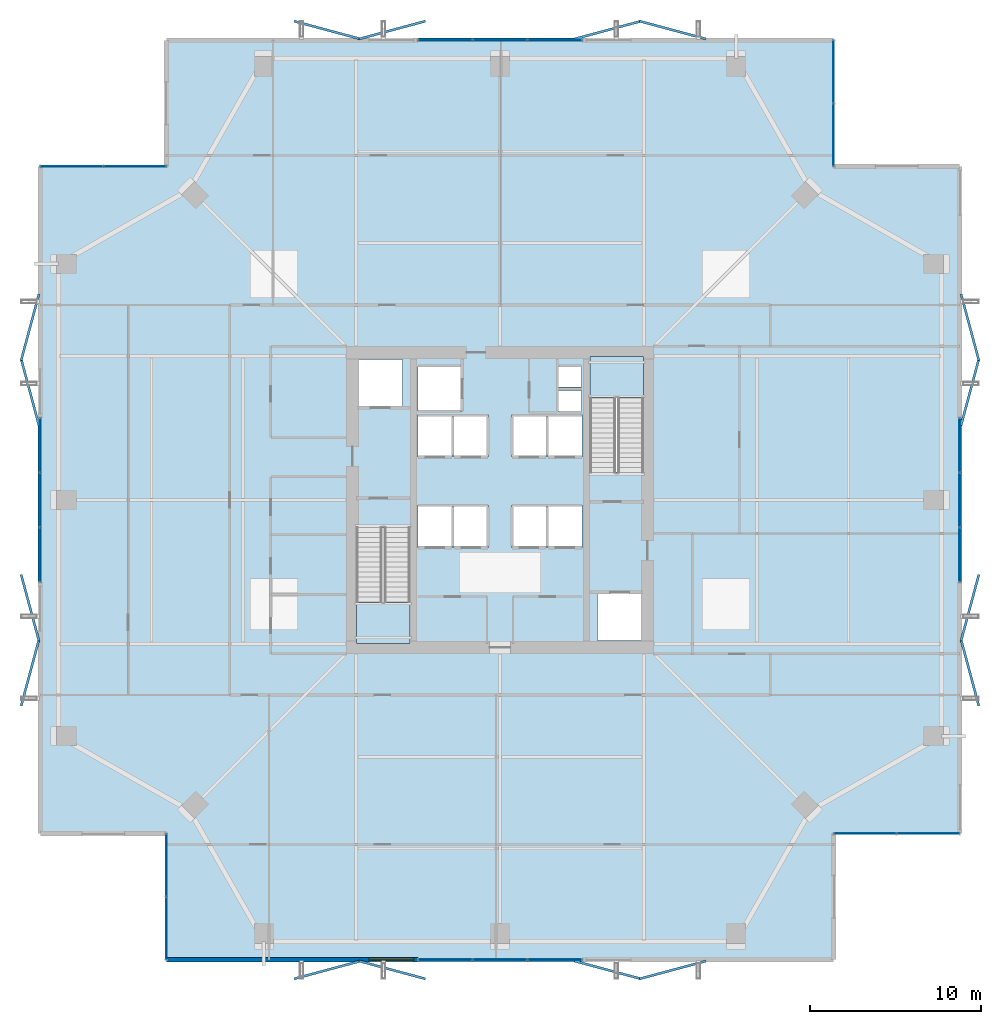
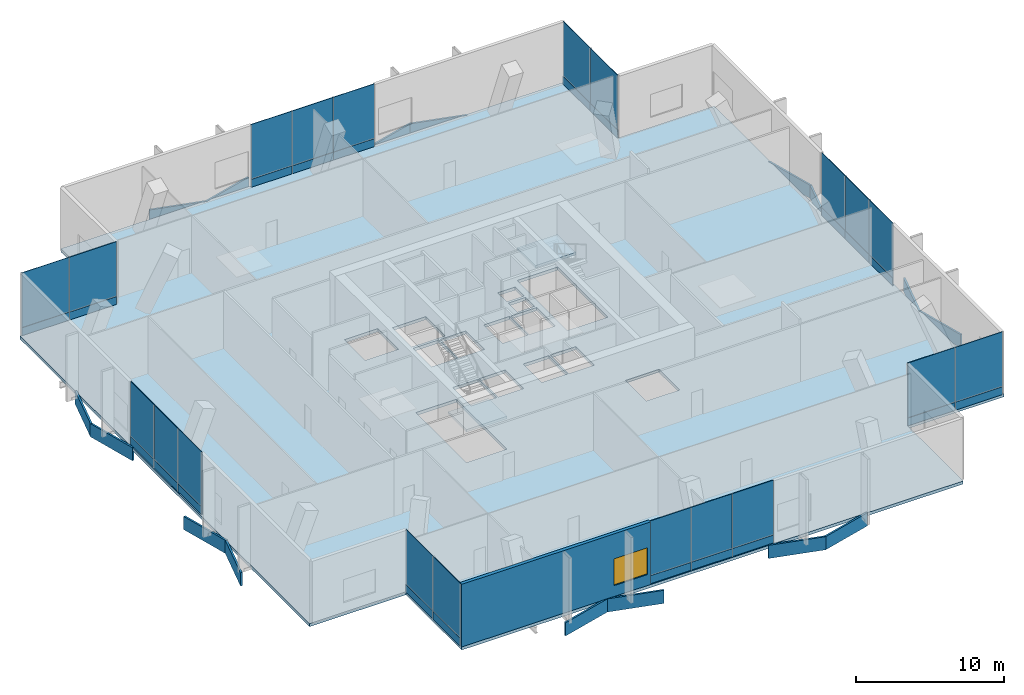
# One storey, part 28 of 33: 56 plates, 3 slabs, 1 wall, 1 window, 1 opening, 10 elements without a shape of their own.
"""IFC4 building model written with IfcOpenShell, lengths in metres."""

from ifc_helpers import new_model, si_unit, direction, frame, frame_2d, origin, origin_2d, place, context, subcontext, project, spatial, polyline, rectangle, outline, extrude, material, layer, layer_set, type_object, element, fill, aggregate, save


model = new_model("IFC4")

# Units and contexts
model_context = context("Model", 3, precision=1e-05, world=origin(), true_north=direction((0.0, 1.0)))
body_context = subcontext(model_context, "Body", "Model", "MODEL_VIEW")
ifc_project = project(units=[si_unit("LENGTHUNIT", "METRE"), si_unit("AREAUNIT", "SQUARE_METRE"), si_unit("VOLUMEUNIT", "CUBIC_METRE"), si_unit("PLANEANGLEUNIT", "RADIAN"), si_unit("MASSUNIT", "GRAM", prefix="KILO")], contexts=[model_context])

# Site, building, storey
site_placement = place(None, origin())
site = spatial("IfcSite", under=ifc_project, at=site_placement, CompositionType="ELEMENT")
building_placement = place(site_placement, origin())
building = spatial("IfcBuilding", under=site, at=building_placement, Name="Belovzor Exchange Tower", CompositionType="ELEMENT")
storey_placement = place(building_placement, frame((0.0, 0.0, 241.199951171875)))
storey = spatial("IfcBuildingStorey", under=building, at=storey_placement, Name="L60", CompositionType="ELEMENT", Elevation=241.199951171875)

# Curtain wall, plates
ifc_material_1 = material(Name="Anodised Aluminium Framing", Category="aluminium")
ifc_layer_1 = layer(ifc_material_1, 0.239990234375)
ifc_layer_set_1 = layer_set([ifc_layer_1], Name="Anodised Aluminium Framing")
curtain_wall_type_1 = type_object("IfcCurtainWallType", Name="Sky-Lobby Double-Skin Acoustic Curtain Wall", PredefinedType="NOTDEFINED", material=ifc_layer_set_1)
curtain_wall_1_placement = place(storey_placement, origin())
curtain_wall_1 = element("IfcCurtainWall", 1, at=curtain_wall_1_placement, inside=storey, type_object=curtain_wall_type_1, Name="CW4 Sky-Lobby Double-Skin Acoustic Curtain Wall L60", PredefinedType="NOTDEFINED")
ifc_material_2 = material(Name="Acoustic Laminated Triple Glazing", Category="glass")
ifc_layer_2 = layer(ifc_material_2, 0.048095703125)
ifc_layer_set_2 = layer_set([ifc_layer_2], Name="Acoustic Laminated Triple Glazing")
plate_type_1 = type_object("IfcPlateType", Name="Acoustic Laminated Curtain Panel 48", PredefinedType="CURTAIN_PANEL", material=ifc_layer_set_2)
plate_1_placement = place(storey_placement, frame((32.0, 1.929931640625, 0.652099609375), z_axis=(0.0, 0.0, 1.0), x_axis=(-1.0, 0.0, 0.0)))
plate_1 = element("IfcPlate", 2, at=plate_1_placement, type_object=plate_type_1, Name="GLZ-48 Glazed Curtain Panel 1", PredefinedType="CURTAIN_PANEL", context=body_context, shape_type="SweptSolid", body=[
    extrude(rectangle(XDim=3.18408203125, YDim=0.048095703125, at=origin_2d()), origin(), (0.0, 0.0, 1.0), 4.498046875),
])
plate_2_placement = place(storey_placement, frame((28.800048828125, 1.929931640625, 0.652099609375), z_axis=(0.0, 0.0, 1.0), x_axis=(-1.0, 0.0, 0.0)))
plate_2 = element("IfcPlate", 3, at=plate_2_placement, type_object=plate_type_1, Name="GLZ-48 Glazed Curtain Panel 2", PredefinedType="CURTAIN_PANEL", context=body_context, shape_type="SweptSolid", body=[
    extrude(rectangle(XDim=3.18408203125, YDim=0.048095703125, at=origin_2d()), origin(), (0.0, 0.0, 1.0), 4.498046875),
])
plate_3_placement = place(storey_placement, frame((25.60009765625, 1.929931640625, 0.652099609375), z_axis=(0.0, 0.0, 1.0), x_axis=(-1.0, 0.0, 0.0)))
plate_3 = element("IfcPlate", 4, at=plate_3_placement, type_object=plate_type_1, Name="GLZ-48 Glazed Curtain Panel 3", PredefinedType="CURTAIN_PANEL", context=body_context, shape_type="SweptSolid", body=[
    extrude(rectangle(XDim=3.18408203125, YDim=0.048095703125, at=origin_2d()), origin(), (0.0, 0.0, 1.0), 4.498046875),
])

curtain_wall_2_placement = place(storey_placement, origin())
curtain_wall_2 = element("IfcCurtainWall", 5, at=curtain_wall_2_placement, inside=storey, type_object=curtain_wall_type_1, Name="CW4 Sky-Lobby Double-Skin Acoustic Curtain Wall L60", PredefinedType="NOTDEFINED")
plate_4_placement = place(storey_placement, frame((25.60009765625, 55.669921875, 0.652099609375), z_axis=(0.0, 0.0, 1.0), x_axis=(1.0, 0.0, 0.0)))
plate_4 = element("IfcPlate", 6, at=plate_4_placement, type_object=plate_type_1, Name="GLZ-48 Glazed Curtain Panel 1", PredefinedType="CURTAIN_PANEL", context=body_context, shape_type="SweptSolid", body=[
    extrude(rectangle(XDim=3.18408203125, YDim=0.048095703125, at=origin_2d()), origin(), (0.0, 0.0, 1.0), 4.498046875),
])
plate_5_placement = place(storey_placement, frame((28.800048828125, 55.669921875, 0.652099609375), z_axis=(0.0, 0.0, 1.0), x_axis=(1.0, 0.0, 0.0)))
plate_5 = element("IfcPlate", 7, at=plate_5_placement, type_object=plate_type_1, Name="GLZ-48 Glazed Curtain Panel 2", PredefinedType="CURTAIN_PANEL", context=body_context, shape_type="SweptSolid", body=[
    extrude(rectangle(XDim=3.18408203125, YDim=0.048095703125, at=origin_2d()), origin(), (0.0, 0.0, 1.0), 4.498046875),
])
plate_6_placement = place(storey_placement, frame((32.0, 55.669921875, 0.652099609375), z_axis=(0.0, 0.0, 1.0), x_axis=(1.0, 0.0, 0.0)))
plate_6 = element("IfcPlate", 8, at=plate_6_placement, type_object=plate_type_1, Name="GLZ-48 Glazed Curtain Panel 3", PredefinedType="CURTAIN_PANEL", context=body_context, shape_type="SweptSolid", body=[
    extrude(rectangle(XDim=3.18408203125, YDim=0.048095703125, at=origin_2d()), origin(), (0.0, 0.0, 1.0), 4.498046875),
])

curtain_wall_3_placement = place(storey_placement, origin())
curtain_wall_3 = element("IfcCurtainWall", 9, at=curtain_wall_3_placement, inside=storey, type_object=curtain_wall_type_1, Name="CW4 Sky-Lobby Double-Skin Acoustic Curtain Wall L60", PredefinedType="NOTDEFINED")
plate_7_placement = place(storey_placement, frame((1.929931640625, 25.60009765625, 0.652099609375), z_axis=(0.0, 0.0, 1.0), x_axis=(0.0, 1.0, 0.0)))
plate_7 = element("IfcPlate", 10, at=plate_7_placement, type_object=plate_type_1, Name="GLZ-48 Glazed Curtain Panel 1", PredefinedType="CURTAIN_PANEL", context=body_context, shape_type="SweptSolid", body=[
    extrude(rectangle(XDim=3.18408203125, YDim=0.048095703125, at=origin_2d()), origin(), (0.0, 0.0, 1.0), 4.498046875),
])
plate_8_placement = place(storey_placement, frame((1.929931640625, 28.800048828125, 0.652099609375), z_axis=(0.0, 0.0, 1.0), x_axis=(0.0, 1.0, 0.0)))
plate_8 = element("IfcPlate", 11, at=plate_8_placement, type_object=plate_type_1, Name="GLZ-48 Glazed Curtain Panel 2", PredefinedType="CURTAIN_PANEL", context=body_context, shape_type="SweptSolid", body=[
    extrude(rectangle(XDim=3.18408203125, YDim=0.048095703125, at=origin_2d()), origin(), (0.0, 0.0, 1.0), 4.498046875),
])
plate_9_placement = place(storey_placement, frame((1.929931640625, 32.0, 0.652099609375), z_axis=(0.0, 0.0, 1.0), x_axis=(0.0, 1.0, 0.0)))
plate_9 = element("IfcPlate", 12, at=plate_9_placement, type_object=plate_type_1, Name="GLZ-48 Glazed Curtain Panel 3", PredefinedType="CURTAIN_PANEL", context=body_context, shape_type="SweptSolid", body=[
    extrude(rectangle(XDim=3.18408203125, YDim=0.048095703125, at=origin_2d()), origin(), (0.0, 0.0, 1.0), 4.498046875),
])

curtain_wall_4_placement = place(storey_placement, origin())
curtain_wall_4 = element("IfcCurtainWall", 13, at=curtain_wall_4_placement, inside=storey, type_object=curtain_wall_type_1, Name="CW4 Sky-Lobby Double-Skin Acoustic Curtain Wall L60", PredefinedType="NOTDEFINED")
plate_10_placement = place(storey_placement, frame((55.669921875, 32.0, 0.652099609375), z_axis=(0.0, 0.0, 1.0), x_axis=(0.0, -1.0, 0.0)))
plate_10 = element("IfcPlate", 14, at=plate_10_placement, type_object=plate_type_1, Name="GLZ-48 Glazed Curtain Panel 1", PredefinedType="CURTAIN_PANEL", context=body_context, shape_type="SweptSolid", body=[
    extrude(rectangle(XDim=3.18408203125, YDim=0.048095703125, at=origin_2d()), origin(), (0.0, 0.0, 1.0), 4.498046875),
])
plate_11_placement = place(storey_placement, frame((55.669921875, 28.800048828125, 0.652099609375), z_axis=(0.0, 0.0, 1.0), x_axis=(0.0, -1.0, 0.0)))
plate_11 = element("IfcPlate", 15, at=plate_11_placement, type_object=plate_type_1, Name="GLZ-48 Glazed Curtain Panel 2", PredefinedType="CURTAIN_PANEL", context=body_context, shape_type="SweptSolid", body=[
    extrude(rectangle(XDim=3.18408203125, YDim=0.048095703125, at=origin_2d()), origin(), (0.0, 0.0, 1.0), 4.498046875),
])
plate_12_placement = place(storey_placement, frame((55.669921875, 25.60009765625, 0.652099609375), z_axis=(0.0, 0.0, 1.0), x_axis=(0.0, -1.0, 0.0)))
plate_12 = element("IfcPlate", 16, at=plate_12_placement, type_object=plate_type_1, Name="GLZ-48 Glazed Curtain Panel 3", PredefinedType="CURTAIN_PANEL", context=body_context, shape_type="SweptSolid", body=[
    extrude(rectangle(XDim=3.18408203125, YDim=0.048095703125, at=origin_2d()), origin(), (0.0, 0.0, 1.0), 4.498046875),
])

# Slab
ifc_material_3 = material(Name="Concrete C40/50", Category="concrete")
ifc_layer_3 = layer(ifc_material_3, 0.25)
ifc_layer_set_3 = layer_set([ifc_layer_3], Name="Concrete C40/50")
slab_type_1 = type_object("IfcSlabType", Name="Composite Concrete Floor Deck Slab 250", PredefinedType="FLOOR", material=ifc_layer_set_3)
slab_1_placement = place(storey_placement, frame((0.0, 0.0, -0.25)))
element("IfcSlab", 17, at=slab_1_placement, inside=storey, type_object=slab_type_1, Name="SL-F250 Structural Slab L60", PredefinedType="FLOOR", context=body_context, shape_type="SweptSolid", body=[
    extrude(outline(polyline([(9.300048828125, 1.800048828125), (48.300048828125, 1.800048828125), (48.300048828125, 9.300048828125), (55.800048828125, 9.300048828125), (55.800048828125, 48.300048828125), (48.300048828125, 48.300048828125), (48.300048828125, 55.800048828125), (9.300048828125, 55.800048828125), (9.300048828125, 48.300048828125), (1.800048828125, 48.300048828125), (1.800048828125, 9.300048828125), (9.300048828125, 9.300048828125), (9.300048828125, 1.800048828125)]), holes=[polyline([(20.39990234375, 27.175048828125), (20.39990234375, 20.39990234375), (23.550048828125, 20.39990234375), (23.550048828125, 27.175048828125), (20.39990234375, 27.175048828125)]), polyline([(37.199951171875, 30.425048828125), (37.199951171875, 37.199951171875), (34.050048828125, 37.199951171875), (34.050048828125, 30.425048828125), (37.199951171875, 30.425048828125)]), polyline([(20.5, 34.199951171875), (23.10009765625, 34.199951171875), (23.10009765625, 37.0), (20.5, 37.0), (20.5, 34.199951171875)]), polyline([(34.5, 20.60009765625), (37.10009765625, 20.60009765625), (37.10009765625, 23.39990234375), (34.5, 23.39990234375), (34.5, 20.60009765625)]), polyline([(24.0, 34.0), (26.60009765625, 34.0), (26.60009765625, 36.60009765625), (24.0, 36.60009765625), (24.0, 34.0)]), polyline([(24.0, 26.0), (26.0, 26.0), (26.0, 28.5), (24.0, 28.5), (24.0, 26.0)]), polyline([(26.10009765625, 26.0), (28.10009765625, 26.0), (28.10009765625, 28.5), (26.10009765625, 28.5), (26.10009765625, 26.0)]), polyline([(29.5, 26.0), (31.5, 26.0), (31.5, 28.5), (29.5, 28.5), (29.5, 26.0)]), polyline([(31.60009765625, 26.0), (33.60009765625, 26.0), (33.60009765625, 28.5), (31.60009765625, 28.5), (31.60009765625, 26.0)]), polyline([(24.0, 31.300048828125), (26.0, 31.300048828125), (26.0, 33.800048828125), (24.0, 33.800048828125), (24.0, 31.300048828125)]), polyline([(26.10009765625, 31.300048828125), (28.10009765625, 31.300048828125), (28.10009765625, 33.800048828125), (26.10009765625, 33.800048828125), (26.10009765625, 31.300048828125)]), polyline([(29.5, 31.300048828125), (31.5, 31.300048828125), (31.5, 33.800048828125), (29.5, 33.800048828125), (29.5, 31.300048828125)]), polyline([(31.60009765625, 31.300048828125), (33.60009765625, 31.300048828125), (33.60009765625, 33.800048828125), (31.60009765625, 33.800048828125), (31.60009765625, 31.300048828125)]), polyline([(32.199951171875, 34.0), (33.550048828125, 34.0), (33.550048828125, 35.199951171875), (32.199951171875, 35.199951171875), (32.199951171875, 34.0)]), polyline([(32.199951171875, 35.39990234375), (33.550048828125, 35.39990234375), (33.550048828125, 36.60009765625), (32.199951171875, 36.60009765625), (32.199951171875, 35.39990234375)])]), origin(), (0.0, 0.0, 1.0), 0.25),
])

# Curtain wall, plates
ifc_material_4 = material(Name="Anodised Aluminium Framing", Category="aluminium")
ifc_layer_4 = layer(ifc_material_4, 0.195068359375)
ifc_layer_set_4 = layer_set([ifc_layer_4], Name="Anodised Aluminium Framing")
curtain_wall_type_2 = type_object("IfcCurtainWallType", Name="Notched Re-Entrant Corner Unitised Curtain Wall", PredefinedType="NOTDEFINED", material=ifc_layer_set_4)
curtain_wall_5_placement = place(storey_placement, origin())
curtain_wall_5 = element("IfcCurtainWall", 18, at=curtain_wall_5_placement, inside=storey, type_object=curtain_wall_type_2, Name="CW5 Notched Re-Entrant Corner Unitised Curtain Wall L60", PredefinedType="NOTDEFINED")
ifc_material_5 = material(Name="Solar-Control Triple Glazing", Category="glass")
ifc_layer_5 = layer(ifc_material_5, 0.0439453125)
ifc_layer_set_5 = layer_set([ifc_layer_5], Name="Solar-Control Triple Glazing")
plate_type_2 = type_object("IfcPlateType", Name="Insulated Solar Glazing Curtain Panel 44", PredefinedType="CURTAIN_PANEL", material=ifc_layer_set_5)
plate_13_placement = place(storey_placement, frame((9.300048828125, 3.77197265625, 0.652099609375), z_axis=(0.0, 0.0, 1.0), x_axis=(0.0, 1.0, 0.0)))
plate_13 = element("IfcPlate", 19, at=plate_13_placement, type_object=plate_type_2, Name="GLZ-44 Glazed Curtain Panel 1", PredefinedType="CURTAIN_PANEL", context=body_context, shape_type="SweptSolid", body=[
    extrude(rectangle(XDim=3.6689453125, YDim=0.0439453125, at=origin_2d()), origin(), (0.0, 0.0, 1.0), 4.498046875),
])
plate_14_placement = place(storey_placement, frame((9.300048828125, 7.4580078125, 0.652099609375), z_axis=(0.0, 0.0, 1.0), x_axis=(0.0, 1.0, 0.0)))
plate_14 = element("IfcPlate", 20, at=plate_14_placement, type_object=plate_type_2, Name="GLZ-44 Glazed Curtain Panel 2", PredefinedType="CURTAIN_PANEL", context=body_context, shape_type="SweptSolid", body=[
    extrude(rectangle(XDim=3.6689453125, YDim=0.0439453125, at=origin_2d()), origin(), (0.0, 0.0, 1.0), 4.498046875),
])

curtain_wall_6_placement = place(storey_placement, origin())
curtain_wall_6 = element("IfcCurtainWall", 21, at=curtain_wall_6_placement, inside=storey, type_object=curtain_wall_type_2, Name="CW5 Notched Re-Entrant Corner Unitised Curtain Wall L60", PredefinedType="NOTDEFINED")
plate_15_placement = place(storey_placement, frame((3.77197265625, 48.300048828125, 0.652099609375), z_axis=(0.0, 0.0, 1.0), x_axis=(1.0, 0.0, 0.0)))
plate_15 = element("IfcPlate", 22, at=plate_15_placement, type_object=plate_type_2, Name="GLZ-44 Glazed Curtain Panel 1", PredefinedType="CURTAIN_PANEL", context=body_context, shape_type="SweptSolid", body=[
    extrude(rectangle(XDim=3.6689453125, YDim=0.0439453125, at=origin_2d()), origin(), (0.0, 0.0, 1.0), 4.498046875),
])
plate_16_placement = place(storey_placement, frame((7.4580078125, 48.300048828125, 0.652099609375), z_axis=(0.0, 0.0, 1.0), x_axis=(1.0, 0.0, 0.0)))
plate_16 = element("IfcPlate", 23, at=plate_16_placement, type_object=plate_type_2, Name="GLZ-44 Glazed Curtain Panel 2", PredefinedType="CURTAIN_PANEL", context=body_context, shape_type="SweptSolid", body=[
    extrude(rectangle(XDim=3.6689453125, YDim=0.0439453125, at=origin_2d()), origin(), (0.0, 0.0, 1.0), 4.498046875),
])

curtain_wall_7_placement = place(storey_placement, origin())
curtain_wall_7 = element("IfcCurtainWall", 24, at=curtain_wall_7_placement, inside=storey, type_object=curtain_wall_type_2, Name="CW5 Notched Re-Entrant Corner Unitised Curtain Wall L60", PredefinedType="NOTDEFINED")
plate_17_placement = place(storey_placement, frame((48.300048828125, 53.827880859375, 0.652099609375), z_axis=(0.0, 0.0, 1.0), x_axis=(0.0, -1.0, 0.0)))
plate_17 = element("IfcPlate", 25, at=plate_17_placement, type_object=plate_type_2, Name="GLZ-44 Glazed Curtain Panel 1", PredefinedType="CURTAIN_PANEL", context=body_context, shape_type="SweptSolid", body=[
    extrude(rectangle(XDim=3.6689453125, YDim=0.0439453125, at=origin_2d()), origin(), (0.0, 0.0, 1.0), 4.498046875),
])
plate_18_placement = place(storey_placement, frame((48.300048828125, 50.14208984375, 0.652099609375), z_axis=(0.0, 0.0, 1.0), x_axis=(0.0, -1.0, 0.0)))
plate_18 = element("IfcPlate", 26, at=plate_18_placement, type_object=plate_type_2, Name="GLZ-44 Glazed Curtain Panel 2", PredefinedType="CURTAIN_PANEL", context=body_context, shape_type="SweptSolid", body=[
    extrude(rectangle(XDim=3.6689453125, YDim=0.0439453125, at=origin_2d()), origin(), (0.0, 0.0, 1.0), 4.498046875),
])

curtain_wall_8_placement = place(storey_placement, origin())
curtain_wall_8 = element("IfcCurtainWall", 27, at=curtain_wall_8_placement, inside=storey, type_object=curtain_wall_type_2, Name="CW5 Notched Re-Entrant Corner Unitised Curtain Wall L60", PredefinedType="NOTDEFINED")
plate_19_placement = place(storey_placement, frame((53.827880859375, 9.300048828125, 0.652099609375), z_axis=(0.0, 0.0, 1.0), x_axis=(-1.0, 0.0, 0.0)))
plate_19 = element("IfcPlate", 28, at=plate_19_placement, type_object=plate_type_2, Name="GLZ-44 Glazed Curtain Panel 1", PredefinedType="CURTAIN_PANEL", context=body_context, shape_type="SweptSolid", body=[
    extrude(rectangle(XDim=3.6689453125, YDim=0.0439453125, at=origin_2d()), origin(), (0.0, 0.0, 1.0), 4.498046875),
])
plate_20_placement = place(storey_placement, frame((50.14208984375, 9.300048828125, 0.652099609375), z_axis=(0.0, 0.0, 1.0), x_axis=(-1.0, 0.0, 0.0)))
plate_20 = element("IfcPlate", 29, at=plate_20_placement, type_object=plate_type_2, Name="GLZ-44 Glazed Curtain Panel 2", PredefinedType="CURTAIN_PANEL", context=body_context, shape_type="SweptSolid", body=[
    extrude(rectangle(XDim=3.6689453125, YDim=0.0439453125, at=origin_2d()), origin(), (0.0, 0.0, 1.0), 4.498046875),
])

# Plates
ifc_material_6 = material(Name="Extruded Architectural Terracotta", Category="masonry")
ifc_layer_6 = layer(ifc_material_6, 0.139892578125)
ifc_layer_set_6 = layer_set([ifc_layer_6], Name="Extruded Architectural Terracotta")
plate_type_3 = type_object("IfcPlateType", Name="Mid-Tower Folded Zigzag Terracotta Spandrel Louvre 120", PredefinedType="USERDEFINED", material=ifc_layer_set_6)
for number, where, z_axis, x_axis, name in (
    (30, (18.699951171875, 1.330078125, -1.06494140625), (0.0, 0.0, 1.0), (0.965812803231, 0.259240485101, 0.0), "LVR-ZZ2 Zigzag Terracotta Spandrel Louvre L60 S1A"),
    (31, (22.5, 1.330078125, -1.06494140625), (0.0, 0.0, 1.0), (0.965812803231, -0.259240485101, 0.0), "LVR-ZZ2 Zigzag Terracotta Spandrel Louvre L60 S1B"),
    (32, (18.699951171875, 56.27001953125, -1.06494140625), (0.0, 0.0, 1.0), (0.965812803231, -0.259240485101, 0.0), "LVR-ZZ2 Zigzag Terracotta Spandrel Louvre L60 N1A"),
    (33, (22.5, 56.27001953125, -1.06494140625), (0.0, 0.0, 1.0), (0.965812803231, 0.259240485101, 0.0), "LVR-ZZ2 Zigzag Terracotta Spandrel Louvre L60 N1B"),
    (34, (1.330078125, 18.699951171875, -1.06494140625), (0.0, 0.0, 1.0), (0.259240485101, 0.965812803231, 0.0), "LVR-ZZ2 Zigzag Terracotta Spandrel Louvre L60 W1A"),
    (35, (1.330078125, 22.5, -1.06494140625), (0.0, 0.0, 1.0), (-0.259240485101, 0.965812803231, 0.0), "LVR-ZZ2 Zigzag Terracotta Spandrel Louvre L60 W1B"),
    (36, (56.27001953125, 18.699951171875, -1.06494140625), (0.0, 0.0, 1.0), (-0.259240485101, 0.965812803231, 0.0), "LVR-ZZ2 Zigzag Terracotta Spandrel Louvre L60 E1A"),
    (37, (56.27001953125, 22.5, -1.06494140625), (0.0, 0.0, 1.0), (0.259240485101, 0.965812803231, 0.0), "LVR-ZZ2 Zigzag Terracotta Spandrel Louvre L60 E1B"),
    (38, (35.10009765625, 1.330078125, -1.06494140625), (0.0, 0.0, 1.0), (0.965812803231, -0.259240485101, 0.0), "LVR-ZZ2 Zigzag Terracotta Spandrel Louvre L60 S2A"),
    (39, (38.89990234375, 1.330078125, -1.06494140625), (0.0, 0.0, 1.0), (0.965812803231, 0.259240485101, 0.0), "LVR-ZZ2 Zigzag Terracotta Spandrel Louvre L60 S2B"),
    (40, (35.10009765625, 56.27001953125, -1.06494140625), (0.0, 0.0, 1.0), (0.965812803231, 0.259240485101, 0.0), "LVR-ZZ2 Zigzag Terracotta Spandrel Louvre L60 N2A"),
    (41, (38.89990234375, 56.27001953125, -1.06494140625), (0.0, 0.0, 1.0), (0.965812803231, -0.259240485101, 0.0), "LVR-ZZ2 Zigzag Terracotta Spandrel Louvre L60 N2B"),
    (42, (1.330078125, 35.10009765625, -1.06494140625), (0.0, 0.0, 1.0), (-0.259240485101, 0.965812803231, 0.0), "LVR-ZZ2 Zigzag Terracotta Spandrel Louvre L60 W2A"),
    (43, (1.330078125, 38.89990234375, -1.06494140625), (0.0, 0.0, 1.0), (0.259240485101, 0.965812803231, 0.0), "LVR-ZZ2 Zigzag Terracotta Spandrel Louvre L60 W2B"),
    (44, (56.27001953125, 35.10009765625, -1.06494140625), (0.0, 0.0, 1.0), (0.259240485101, 0.965812803231, 0.0), "LVR-ZZ2 Zigzag Terracotta Spandrel Louvre L60 E2A"),
    (45, (56.27001953125, 38.89990234375, -1.06494140625), (0.0, 0.0, 1.0), (-0.259240485101, 0.965812803231, 0.0), "LVR-ZZ2 Zigzag Terracotta Spandrel Louvre L60 E2B"),
):
    element("IfcPlate", number, at=place(storey_placement, frame(where, z_axis=z_axis, x_axis=x_axis)), inside=storey, type_object=plate_type_3, Name=name, ObjectType="SPANDREL_LOUVRE", PredefinedType="USERDEFINED", context=body_context, shape_type="SweptSolid", body=[
        extrude(rectangle(XDim=4.014892578125, YDim=0.139892578125, at=origin_2d()), origin(), (0.0, 0.0, 1.0), 1.080078125),
    ])

# Stair, slab
ifc_material_7 = material(Name="Concrete C40/50", Category="concrete")
stair_type = type_object("IfcStairType", Name="Reinforced Concrete Dogleg Escape Stair 1350", PredefinedType="HALF_TURN_STAIR", material=ifc_material_7)
stair_1_placement = place(storey_placement, origin())
stair_1 = element("IfcStair", 46, at=stair_1_placement, inside=storey, type_object=stair_type, Name="L60 ST-1", PredefinedType="HALF_TURN_STAIR")
ifc_material_8 = material(Name="Concrete C40/50", Category="concrete")
ifc_layer_7 = layer(ifc_material_8, 0.199951171875)
ifc_layer_set_7 = layer_set([ifc_layer_7], Name="Concrete C40/50")
slab_type_2 = type_object("IfcSlabType", Name="Reinforced Concrete Stair Half-Landing Slab 200", PredefinedType="LANDING", material=ifc_layer_set_7)
slab_2_placement = place(storey_placement, frame((0.0, 0.0, 2.5)))
slab_2 = element("IfcSlab", 47, at=slab_2_placement, type_object=slab_type_2, Name="ST-1 landing 1", PredefinedType="LANDING", context=body_context, shape_type="SweptSolid", body=[
    extrude(outline(polyline([(20.39990234375, 22.85009765625), (20.39990234375, 20.39990234375), (23.550048828125, 20.39990234375), (23.550048828125, 22.85009765625), (20.39990234375, 22.85009765625)])), origin(), (0.0, 0.0, 1.0), 0.199951171875),
])
aggregate(stair_1, [slab_2])

stair_2_placement = place(storey_placement, origin())
stair_2 = element("IfcStair", 48, at=stair_2_placement, inside=storey, type_object=stair_type, Name="L60 ST-2", PredefinedType="HALF_TURN_STAIR")
slab_3_placement = place(storey_placement, frame((0.0, 0.0, 2.5)))
slab_3 = element("IfcSlab", 49, at=slab_3_placement, type_object=slab_type_2, Name="ST-2 landing 1", PredefinedType="LANDING", context=body_context, shape_type="SweptSolid", body=[
    extrude(outline(polyline([(37.199951171875, 34.75), (37.199951171875, 37.199951171875), (34.050048828125, 37.199951171875), (34.050048828125, 34.75), (37.199951171875, 34.75)])), origin(), (0.0, 0.0, 1.0), 0.199951171875),
])
aggregate(stair_2, [slab_3])

# Plate
ifc_material_9 = material(Name="Extruded Architectural Terracotta", Category="masonry")
ifc_layer_8 = layer(ifc_material_9, 0.090087890625)
ifc_layer_set_8 = layer_set([ifc_layer_8], Name="Extruded Architectural Terracotta")
plate_type_4 = type_object("IfcPlateType", Name="Terracotta Shadow-Box Spandrel Panel 90", PredefinedType="CURTAIN_PANEL", material=ifc_layer_set_8)
plate_21_placement = place(storey_placement, frame((32.0, 1.929931640625, 0.0), z_axis=(0.0, 0.0, 1.0), x_axis=(-1.0, 0.0, 0.0)))
plate_21 = element("IfcPlate", 50, at=plate_21_placement, type_object=plate_type_4, Name="SPD-90 Spandrel Panel 1", PredefinedType="CURTAIN_PANEL", context=body_context, shape_type="SweptSolid", body=[
    extrude(rectangle(XDim=3.18408203125, YDim=0.090087890625, at=origin_2d()), origin(), (0.0, 0.0, 1.0), 0.64794921875),
])

plate_22_placement = place(storey_placement, frame((28.800048828125, 1.929931640625, 0.0), z_axis=(0.0, 0.0, 1.0), x_axis=(-1.0, 0.0, 0.0)))
plate_22 = element("IfcPlate", 51, at=plate_22_placement, type_object=plate_type_4, Name="SPD-90 Spandrel Panel 2", PredefinedType="CURTAIN_PANEL", context=body_context, shape_type="SweptSolid", body=[
    extrude(rectangle(XDim=3.18408203125, YDim=0.090087890625, at=origin_2d()), origin(), (0.0, 0.0, 1.0), 0.64794921875),
])

plate_23_placement = place(storey_placement, frame((25.60009765625, 1.929931640625, 0.0), z_axis=(0.0, 0.0, 1.0), x_axis=(-1.0, 0.0, 0.0)))
plate_23 = element("IfcPlate", 52, at=plate_23_placement, type_object=plate_type_4, Name="SPD-90 Spandrel Panel 3", PredefinedType="CURTAIN_PANEL", context=body_context, shape_type="SweptSolid", body=[
    extrude(rectangle(XDim=3.18408203125, YDim=0.090087890625, at=origin_2d()), origin(), (0.0, 0.0, 1.0), 0.64794921875),
])

aggregate(curtain_wall_1, [plate_21, plate_1, plate_22, plate_2, plate_23, plate_3])

plate_24_placement = place(storey_placement, frame((25.60009765625, 55.669921875, 0.0), z_axis=(0.0, 0.0, 1.0), x_axis=(1.0, 0.0, 0.0)))
plate_24 = element("IfcPlate", 53, at=plate_24_placement, type_object=plate_type_4, Name="SPD-90 Spandrel Panel 1", PredefinedType="CURTAIN_PANEL", context=body_context, shape_type="SweptSolid", body=[
    extrude(rectangle(XDim=3.18408203125, YDim=0.090087890625, at=origin_2d()), origin(), (0.0, 0.0, 1.0), 0.64794921875),
])

plate_25_placement = place(storey_placement, frame((28.800048828125, 55.669921875, 0.0), z_axis=(0.0, 0.0, 1.0), x_axis=(1.0, 0.0, 0.0)))
plate_25 = element("IfcPlate", 54, at=plate_25_placement, type_object=plate_type_4, Name="SPD-90 Spandrel Panel 2", PredefinedType="CURTAIN_PANEL", context=body_context, shape_type="SweptSolid", body=[
    extrude(rectangle(XDim=3.18408203125, YDim=0.090087890625, at=origin_2d()), origin(), (0.0, 0.0, 1.0), 0.64794921875),
])

plate_26_placement = place(storey_placement, frame((32.0, 55.669921875, 0.0), z_axis=(0.0, 0.0, 1.0), x_axis=(1.0, 0.0, 0.0)))
plate_26 = element("IfcPlate", 55, at=plate_26_placement, type_object=plate_type_4, Name="SPD-90 Spandrel Panel 3", PredefinedType="CURTAIN_PANEL", context=body_context, shape_type="SweptSolid", body=[
    extrude(rectangle(XDim=3.18408203125, YDim=0.090087890625, at=origin_2d()), origin(), (0.0, 0.0, 1.0), 0.64794921875),
])

aggregate(curtain_wall_2, [plate_24, plate_4, plate_25, plate_5, plate_26, plate_6])

plate_27_placement = place(storey_placement, frame((1.929931640625, 25.60009765625, 0.0), z_axis=(0.0, 0.0, 1.0), x_axis=(0.0, 1.0, 0.0)))
plate_27 = element("IfcPlate", 56, at=plate_27_placement, type_object=plate_type_4, Name="SPD-90 Spandrel Panel 1", PredefinedType="CURTAIN_PANEL", context=body_context, shape_type="SweptSolid", body=[
    extrude(rectangle(XDim=3.18408203125, YDim=0.090087890625, at=origin_2d()), origin(), (0.0, 0.0, 1.0), 0.64794921875),
])

plate_28_placement = place(storey_placement, frame((1.929931640625, 28.800048828125, 0.0), z_axis=(0.0, 0.0, 1.0), x_axis=(0.0, 1.0, 0.0)))
plate_28 = element("IfcPlate", 57, at=plate_28_placement, type_object=plate_type_4, Name="SPD-90 Spandrel Panel 2", PredefinedType="CURTAIN_PANEL", context=body_context, shape_type="SweptSolid", body=[
    extrude(rectangle(XDim=3.18408203125, YDim=0.090087890625, at=origin_2d()), origin(), (0.0, 0.0, 1.0), 0.64794921875),
])

plate_29_placement = place(storey_placement, frame((1.929931640625, 32.0, 0.0), z_axis=(0.0, 0.0, 1.0), x_axis=(0.0, 1.0, 0.0)))
plate_29 = element("IfcPlate", 58, at=plate_29_placement, type_object=plate_type_4, Name="SPD-90 Spandrel Panel 3", PredefinedType="CURTAIN_PANEL", context=body_context, shape_type="SweptSolid", body=[
    extrude(rectangle(XDim=3.18408203125, YDim=0.090087890625, at=origin_2d()), origin(), (0.0, 0.0, 1.0), 0.64794921875),
])

aggregate(curtain_wall_3, [plate_27, plate_7, plate_28, plate_8, plate_29, plate_9])

plate_30_placement = place(storey_placement, frame((55.669921875, 32.0, 0.0), z_axis=(0.0, 0.0, 1.0), x_axis=(0.0, -1.0, 0.0)))
plate_30 = element("IfcPlate", 59, at=plate_30_placement, type_object=plate_type_4, Name="SPD-90 Spandrel Panel 1", PredefinedType="CURTAIN_PANEL", context=body_context, shape_type="SweptSolid", body=[
    extrude(rectangle(XDim=3.18408203125, YDim=0.090087890625, at=origin_2d()), origin(), (0.0, 0.0, 1.0), 0.64794921875),
])

plate_31_placement = place(storey_placement, frame((55.669921875, 28.800048828125, 0.0), z_axis=(0.0, 0.0, 1.0), x_axis=(0.0, -1.0, 0.0)))
plate_31 = element("IfcPlate", 60, at=plate_31_placement, type_object=plate_type_4, Name="SPD-90 Spandrel Panel 2", PredefinedType="CURTAIN_PANEL", context=body_context, shape_type="SweptSolid", body=[
    extrude(rectangle(XDim=3.18408203125, YDim=0.090087890625, at=origin_2d()), origin(), (0.0, 0.0, 1.0), 0.64794921875),
])

plate_32_placement = place(storey_placement, frame((55.669921875, 25.60009765625, 0.0), z_axis=(0.0, 0.0, 1.0), x_axis=(0.0, -1.0, 0.0)))
plate_32 = element("IfcPlate", 61, at=plate_32_placement, type_object=plate_type_4, Name="SPD-90 Spandrel Panel 3", PredefinedType="CURTAIN_PANEL", context=body_context, shape_type="SweptSolid", body=[
    extrude(rectangle(XDim=3.18408203125, YDim=0.090087890625, at=origin_2d()), origin(), (0.0, 0.0, 1.0), 0.64794921875),
])

aggregate(curtain_wall_4, [plate_30, plate_10, plate_31, plate_11, plate_32, plate_12])

plate_33_placement = place(storey_placement, frame((9.300048828125, 3.77197265625, 0.0), z_axis=(0.0, 0.0, 1.0), x_axis=(0.0, 1.0, 0.0)))
plate_33 = element("IfcPlate", 62, at=plate_33_placement, type_object=plate_type_4, Name="SPD-90 Spandrel Panel 1", PredefinedType="CURTAIN_PANEL", context=body_context, shape_type="SweptSolid", body=[
    extrude(rectangle(XDim=3.6689453125, YDim=0.090087890625, at=origin_2d()), origin(), (0.0, 0.0, 1.0), 0.64794921875),
])

plate_34_placement = place(storey_placement, frame((9.300048828125, 7.4580078125, 0.0), z_axis=(0.0, 0.0, 1.0), x_axis=(0.0, 1.0, 0.0)))
plate_34 = element("IfcPlate", 63, at=plate_34_placement, type_object=plate_type_4, Name="SPD-90 Spandrel Panel 2", PredefinedType="CURTAIN_PANEL", context=body_context, shape_type="SweptSolid", body=[
    extrude(rectangle(XDim=3.6689453125, YDim=0.090087890625, at=origin_2d()), origin(), (0.0, 0.0, 1.0), 0.64794921875),
])

aggregate(curtain_wall_5, [plate_33, plate_13, plate_34, plate_14])

plate_35_placement = place(storey_placement, frame((3.77197265625, 48.300048828125, 0.0), z_axis=(0.0, 0.0, 1.0), x_axis=(1.0, 0.0, 0.0)))
plate_35 = element("IfcPlate", 64, at=plate_35_placement, type_object=plate_type_4, Name="SPD-90 Spandrel Panel 1", PredefinedType="CURTAIN_PANEL", context=body_context, shape_type="SweptSolid", body=[
    extrude(rectangle(XDim=3.6689453125, YDim=0.090087890625, at=origin_2d()), origin(), (0.0, 0.0, 1.0), 0.64794921875),
])

plate_36_placement = place(storey_placement, frame((7.4580078125, 48.300048828125, 0.0), z_axis=(0.0, 0.0, 1.0), x_axis=(1.0, 0.0, 0.0)))
plate_36 = element("IfcPlate", 65, at=plate_36_placement, type_object=plate_type_4, Name="SPD-90 Spandrel Panel 2", PredefinedType="CURTAIN_PANEL", context=body_context, shape_type="SweptSolid", body=[
    extrude(rectangle(XDim=3.6689453125, YDim=0.090087890625, at=origin_2d()), origin(), (0.0, 0.0, 1.0), 0.64794921875),
])

aggregate(curtain_wall_6, [plate_35, plate_15, plate_36, plate_16])

plate_37_placement = place(storey_placement, frame((48.300048828125, 53.827880859375, 0.0), z_axis=(0.0, 0.0, 1.0), x_axis=(0.0, -1.0, 0.0)))
plate_37 = element("IfcPlate", 66, at=plate_37_placement, type_object=plate_type_4, Name="SPD-90 Spandrel Panel 1", PredefinedType="CURTAIN_PANEL", context=body_context, shape_type="SweptSolid", body=[
    extrude(rectangle(XDim=3.6689453125, YDim=0.090087890625, at=origin_2d()), origin(), (0.0, 0.0, 1.0), 0.64794921875),
])

plate_38_placement = place(storey_placement, frame((48.300048828125, 50.14208984375, 0.0), z_axis=(0.0, 0.0, 1.0), x_axis=(0.0, -1.0, 0.0)))
plate_38 = element("IfcPlate", 67, at=plate_38_placement, type_object=plate_type_4, Name="SPD-90 Spandrel Panel 2", PredefinedType="CURTAIN_PANEL", context=body_context, shape_type="SweptSolid", body=[
    extrude(rectangle(XDim=3.6689453125, YDim=0.090087890625, at=origin_2d()), origin(), (0.0, 0.0, 1.0), 0.64794921875),
])

aggregate(curtain_wall_7, [plate_37, plate_17, plate_38, plate_18])

plate_39_placement = place(storey_placement, frame((53.827880859375, 9.300048828125, 0.0), z_axis=(0.0, 0.0, 1.0), x_axis=(-1.0, 0.0, 0.0)))
plate_39 = element("IfcPlate", 68, at=plate_39_placement, type_object=plate_type_4, Name="SPD-90 Spandrel Panel 1", PredefinedType="CURTAIN_PANEL", context=body_context, shape_type="SweptSolid", body=[
    extrude(rectangle(XDim=3.6689453125, YDim=0.090087890625, at=origin_2d()), origin(), (0.0, 0.0, 1.0), 0.64794921875),
])

plate_40_placement = place(storey_placement, frame((50.14208984375, 9.300048828125, 0.0), z_axis=(0.0, 0.0, 1.0), x_axis=(-1.0, 0.0, 0.0)))
plate_40 = element("IfcPlate", 69, at=plate_40_placement, type_object=plate_type_4, Name="SPD-90 Spandrel Panel 2", PredefinedType="CURTAIN_PANEL", context=body_context, shape_type="SweptSolid", body=[
    extrude(rectangle(XDim=3.6689453125, YDim=0.090087890625, at=origin_2d()), origin(), (0.0, 0.0, 1.0), 0.64794921875),
])

aggregate(curtain_wall_8, [plate_39, plate_19, plate_40, plate_20])

# Wall, opening, window
ifc_material_10 = material(Name="Precast concrete C40/50", Category="concrete")
ifc_layer_9 = layer(ifc_material_10, 0.260009765625)
ifc_layer_set_9 = layer_set([ifc_layer_9], Name="Precast concrete C40/50")
wall_type = type_object("IfcWallType", Name="Precast Concrete Perimeter Loggia Frame Wall 260", PredefinedType="SOLIDWALL", material=ifc_layer_set_9)
wall_placement = place(storey_placement, frame((24.0, 1.929931640625, 0.0), z_axis=(0.0, 0.0, 1.0), x_axis=(-1.0, 0.0, 0.0)))
wall = element("IfcWall", 70, at=wall_placement, inside=storey, type_object=wall_type, Name="W-EXT260 Precast Concrete Perimeter Loggia Frame Wall 260 L60", PredefinedType="SOLIDWALL", context=body_context, shape_type="SweptSolid", body=[
    extrude(rectangle(XDim=14.699951171875, YDim=0.260009765625, at=frame_2d((7.35009765625, 0.0))), origin(), (0.0, 0.0, 1.0), 5.150146484375),
])
opening_placement = place(wall_placement, frame((0.25, 0.0, 0.89990234375)))
opening = element("IfcOpeningElement", 71, at=opening_placement, cuts=wall, Name="Opening WN-LOG260", PredefinedType="OPENING", context=body_context, shape_type="SweptSolid", body=[
    extrude(rectangle(XDim=2.60009765625, YDim=2.199951171875, at=frame_2d((1.300048828125, 1.10009765625))), frame((0.0, 0.139892578125, 0.0), z_axis=(0.0, -1.0, 0.0), x_axis=(1.0, 0.0, 0.0)), (0.0, 0.0, 1.0), 0.280029296875),
])
ifc_material_11 = material(Name="Thermally Broken Aluminium and Triple Glazing", Category="aluminium")
window_type = type_object("IfcWindowType", Name="Sky-Lobby Panoramic Window 2600x2200", PartitioningType="SINGLE_PANEL", PredefinedType="WINDOW", material=ifc_material_11)
window_placement = place(opening_placement, origin())
window = element("IfcWindow", 72, at=window_placement, inside=storey, type_object=window_type, Name="WN-LOG260 Sky-Lobby Panoramic Window 2600x2200", OverallHeight=2.199951171875, OverallWidth=2.60009765625, PartitioningType="SINGLE_PANEL", PredefinedType="WINDOW", context=body_context, shape_type="SweptSolid", body=[
    extrude(rectangle(XDim=2.60009765625, YDim=2.199951171875, at=frame_2d((1.300048828125, 1.10009765625))), frame((0.0, 0.030029296875, 0.0), z_axis=(0.0, -1.0, 0.0), x_axis=(1.0, 0.0, 0.0)), (0.0, 0.0, 1.0), 0.06005859375),
])
fill(opening, window)

save(model, "model.ifc")
